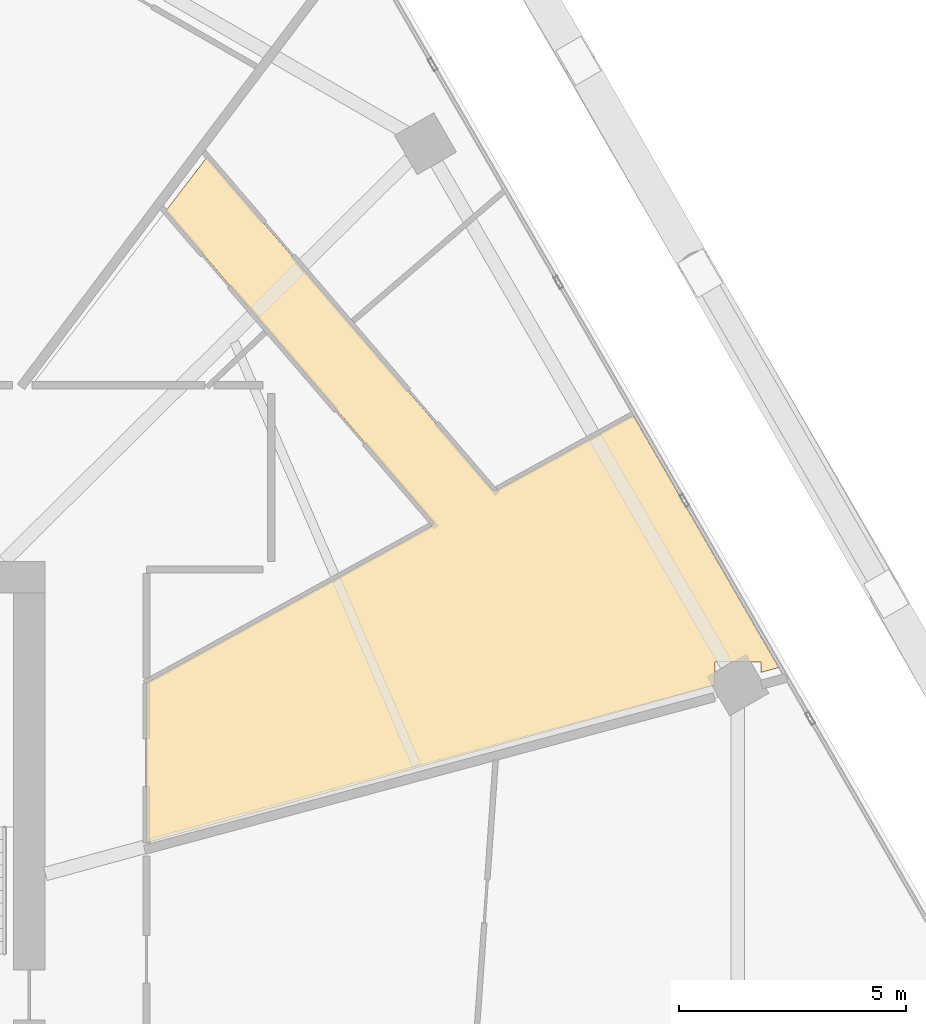
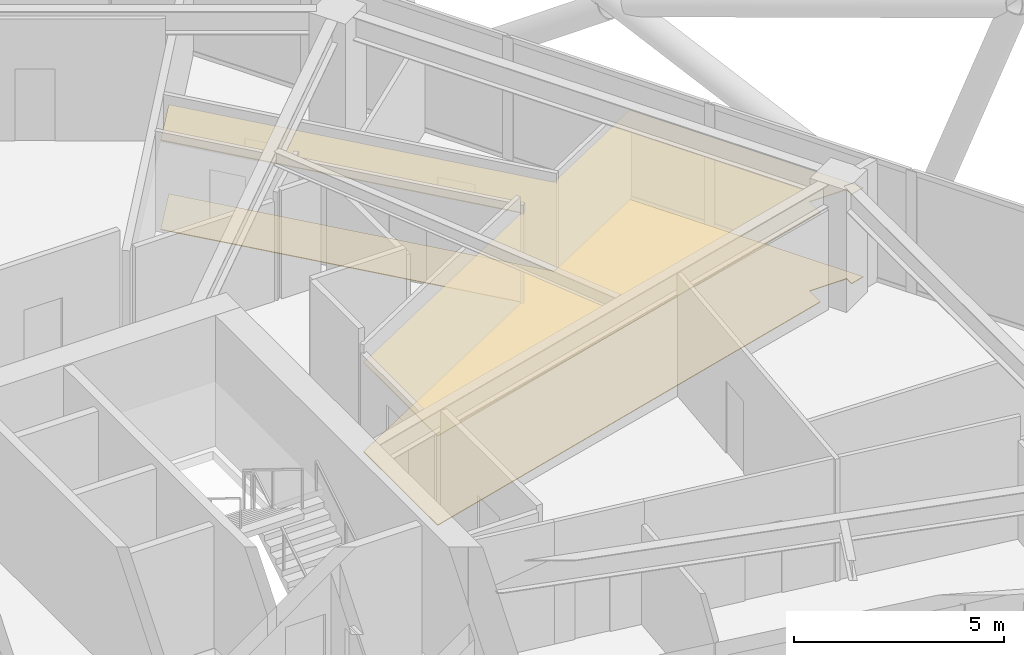
# One storey, part 29 of 29: 2 coverings.
"""IFC4 building model written with IfcOpenShell, lengths in metres."""

from ifc_helpers import new_model, si_unit, direction, frame, origin, place, context, subcontext, project, spatial, polyline, outline, extrude, material, layer, layer_set, type_object, element, save


model = new_model("IFC4")

# Units and contexts
model_context = context("Model", 3, precision=1e-05, world=origin(), true_north=direction((0.0, 1.0)))
body_context = subcontext(model_context, "Body", "Model", "MODEL_VIEW")
ifc_project = project(units=[si_unit("LENGTHUNIT", "METRE"), si_unit("AREAUNIT", "SQUARE_METRE"), si_unit("VOLUMEUNIT", "CUBIC_METRE"), si_unit("PLANEANGLEUNIT", "RADIAN"), si_unit("MASSUNIT", "GRAM", prefix="KILO")], contexts=[model_context])

# Site, building, storey
site_placement = place(None, origin())
site = spatial("IfcSite", under=ifc_project, at=site_placement, CompositionType="ELEMENT")
building_placement = place(site_placement, origin())
building = spatial("IfcBuilding", under=site, at=building_placement, Name="Zuhravey Tower", CompositionType="ELEMENT")
storey_placement = place(building_placement, frame((0.0, 0.0, 184.60009765625)))
storey = spatial("IfcBuildingStorey", under=building, at=storey_placement, Name="L46", CompositionType="ELEMENT", Elevation=184.60009765625)

# Coverings
ifc_material_1 = material(Name="Mineral-fibre acoustic ceiling tile")
ifc_layer_1 = layer(ifc_material_1, 0.02490234375)
ifc_layer_set_1 = layer_set([ifc_layer_1], Name="Mineral-fibre acoustic ceiling tile")
covering_type_1 = type_object("IfcCoveringType", Name="Acoustic Suspended Ceiling", PredefinedType="CEILING", material=ifc_layer_set_1)
covering_1_placement = place(storey_placement, frame((0.0, 0.0, 2.58984375)))
element("IfcCovering", 1, at=covering_1_placement, inside=storey, type_object=covering_type_1, Name="L46 Acoustic Suspended Ceiling CLG1", PredefinedType="CEILING", context=body_context, shape_type="SweptSolid", body=[
    extrude(outline(polyline([(49.080078125, 39.173828125), (55.377685546875, 42.638916015625), (55.39501953125, 42.65478515625), (55.4033203125, 42.677734375), (55.401611328125, 42.697265625), (55.3916015625, 42.71533203125), (49.505615234375, 49.568115234375), (50.413818359375, 50.75146484375), (56.712158203125, 43.418701171875), (56.72412109375, 43.408447265625), (56.75, 43.401123046875), (56.774169921875, 43.407470703125), (59.796142578125, 45.070068359375), (63.006103515625, 39.51025390625), (62.61767578125, 39.402587890625), (62.61767578125, 39.636474609375), (61.59765625, 39.636474609375), (61.59765625, 39.11962890625), (49.080078125, 35.648193359375), (49.080078125, 39.173828125)])), origin(), (0.0, 0.0, 1.0), 0.025146484375),
])
ifc_material_2 = material(Name="Porcelain tile finish")
ifc_layer_2 = layer(ifc_material_2, 0.02001953125)
ifc_layer_set_2 = layer_set([ifc_layer_2], Name="Porcelain tile finish")
covering_type_2 = type_object("IfcCoveringType", Name="Apartment Ondol Porcelain Flooring", PredefinedType="FLOORING", material=ifc_layer_set_2)
covering_2_placement = place(storey_placement, origin())
element("IfcCovering", 2, at=covering_2_placement, inside=storey, type_object=covering_type_2, Name="L46 Principal Room Acoustic Flooring", PredefinedType="FLOORING", context=body_context, shape_type="SweptSolid", body=[
    extrude(outline(polyline([(49.080078125, 39.173828125), (55.377685546875, 42.638916015625), (55.39501953125, 42.65478515625), (55.4033203125, 42.677734375), (55.401611328125, 42.697265625), (55.3916015625, 42.71533203125), (49.505615234375, 49.568115234375), (50.413818359375, 50.75146484375), (56.712158203125, 43.418701171875), (56.72412109375, 43.408447265625), (56.75, 43.401123046875), (56.774169921875, 43.407470703125), (59.796142578125, 45.070068359375), (63.006103515625, 39.51025390625), (62.61767578125, 39.402587890625), (62.61767578125, 39.636474609375), (61.59765625, 39.636474609375), (61.59765625, 39.11962890625), (49.080078125, 35.648193359375), (49.080078125, 39.173828125)])), origin(), (0.0, 0.0, 1.0), 0.02001953125),
])

save(model, "model.ifc")
